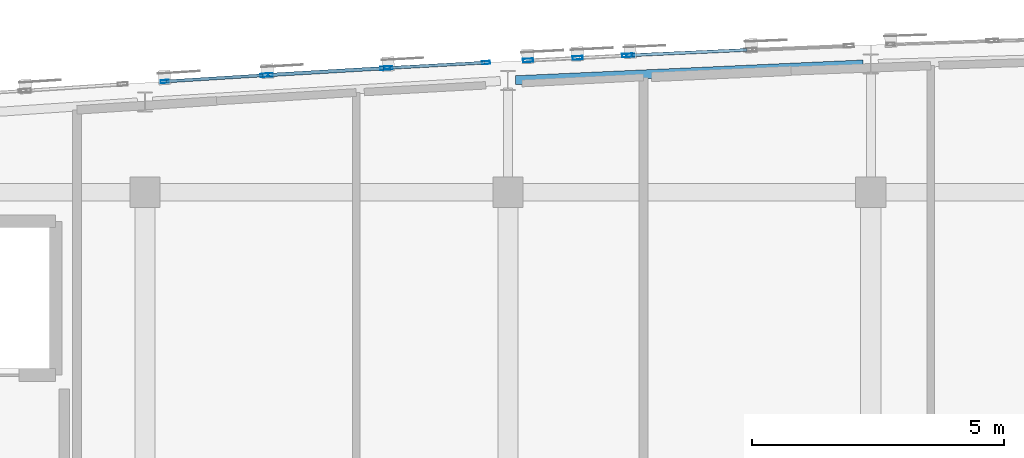
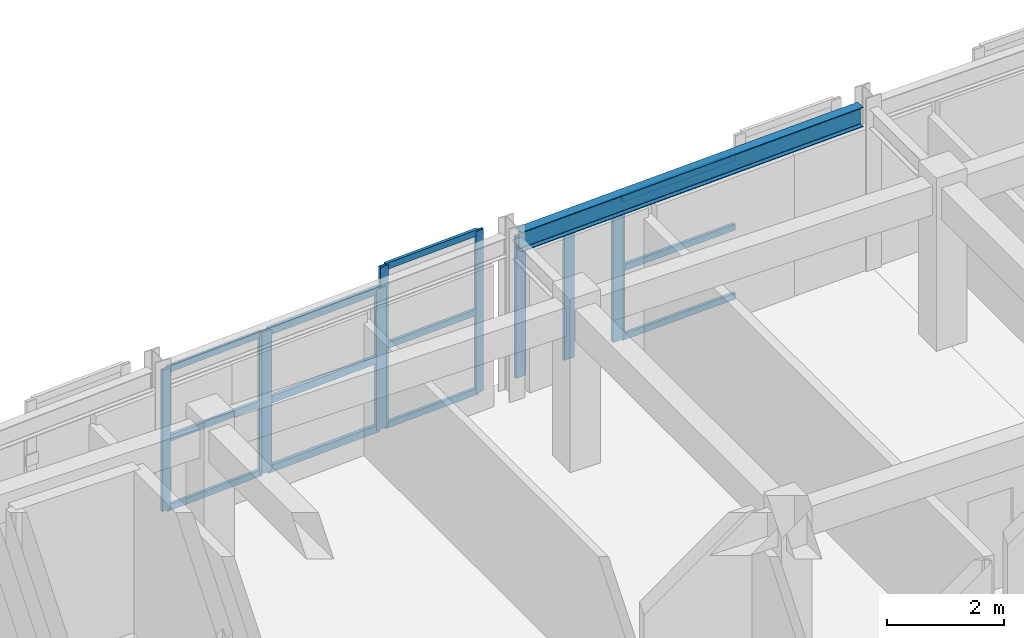
# One storey, part 13 of 51: 22 members, 1 beam, 5 elements without a shape of their own.
"""IFC4 building model written with IfcOpenShell, lengths in metres."""

from ifc_helpers import new_model, si_unit, direction, frame, origin, origin_2d, place, context, subcontext, project, spatial, hollow_rectangle, i_section, extrude, material, layer, layer_set, material_profile, profile_set, type_object, element, aggregate, save


model = new_model("IFC4")

# Units and contexts
model_context = context("Model", 3, precision=1e-05, world=origin(), true_north=direction((0.0, 1.0)))
body_context = subcontext(model_context, "Body", "Model", "MODEL_VIEW")
ifc_project = project(units=[si_unit("LENGTHUNIT", "METRE"), si_unit("AREAUNIT", "SQUARE_METRE"), si_unit("VOLUMEUNIT", "CUBIC_METRE"), si_unit("PLANEANGLEUNIT", "RADIAN"), si_unit("MASSUNIT", "GRAM", prefix="KILO")], contexts=[model_context])

# Site, building, storey
site_placement = place(None, origin())
site = spatial("IfcSite", under=ifc_project, at=site_placement, CompositionType="ELEMENT")
building_placement = place(site_placement, origin())
building = spatial("IfcBuilding", under=site, at=building_placement, Name="Carrowvane Square Congress Hotel", CompositionType="ELEMENT")
storey_placement = place(building_placement, frame((0.0, 0.0, 30.0)))
storey = spatial("IfcBuildingStorey", under=building, at=storey_placement, Name="L07", CompositionType="ELEMENT", Elevation=30.0)

# Beam
ifc_material_1 = material(Name="Steel S355", Category="steel")
ifc_material_profile_1 = material_profile(ifc_material_1, i_section(OverallWidth=0.1787109375, OverallDepth=0.409423828125, WebThickness=0.0087890625, FlangeThickness=0.014404296875, FilletRadius=0.01025390625, at=origin_2d()), Name="UKB 406x178x67")
ifc_profile_set_1 = profile_set([ifc_material_profile_1], Name="Steel S355")
beam_type = type_object("IfcBeamType", Name="BM-ST-UKB406", PredefinedType="BEAM", material=ifc_profile_set_1)
beam_placement = place(storey_placement, frame((76.5498046875, 115.62451171875, 3.1552734375), z_axis=(0.998974507316, 0.045276193882, 0.0), x_axis=(-0.045276193882, 0.998974507316, 0.0)))
element("IfcBeam", 1, at=beam_placement, inside=storey, type_object=beam_type, Name="L08 curved north spandrel", PredefinedType="BEAM", context=body_context, shape_type="SweptSolid", body=[
    extrude(i_section(OverallWidth=0.1787109375, OverallDepth=0.409423828125, WebThickness=0.0087890625, FlangeThickness=0.014404296875, FilletRadius=0.01025390625, at=origin_2d()), origin(), (0.0, 0.0, 1.0), 6.907470703125),
])

# Curtain wall, members
ifc_material_2 = material(Name="Anodised aluminium", Category="aluminium")
ifc_layer_1 = layer(ifc_material_2, 0.2099609375)
ifc_layer_set_1 = layer_set([ifc_layer_1], Name="Anodised aluminium")
curtain_wall_type_1 = type_object("IfcCurtainWallType", Name="CW-SYS-5", PredefinedType="NOTDEFINED", material=ifc_layer_set_1)
curtain_wall_1_placement = place(storey_placement, origin())
curtain_wall_1 = element("IfcCurtainWall", 2, at=curtain_wall_1_placement, inside=storey, type_object=curtain_wall_type_1, Name="L07 unitised curtain wall 420", PredefinedType="NOTDEFINED")
ifc_material_3 = material(Name="Anodised aluminium", Category="aluminium")
ifc_material_profile_2 = material_profile(ifc_material_3, hollow_rectangle(XDim=0.06005859375, YDim=0.159912109375, WallThickness=0.00390625, at=origin_2d()), Name="CW-ML 60x160x4")
ifc_profile_set_2 = profile_set([ifc_material_profile_2], Name="Anodised aluminium")
member_type_1 = type_object("IfcMemberType", Name="CW-MUL-1", PredefinedType="MULLION", material=ifc_profile_set_2)
member_1_placement = place(storey_placement, frame((69.58984375, 115.5986328125, 0.0), z_axis=(0.0, 0.0, 1.0), x_axis=(-0.062397474952, 0.998051378998, 0.0)))
member_1 = element("IfcMember", 3, at=member_1_placement, type_object=member_type_1, Name="CW-5 mullion 1", PredefinedType="MULLION", context=body_context, shape_type="SweptSolid", body=[
    extrude(hollow_rectangle(XDim=0.06005859375, YDim=0.159912109375, WallThickness=0.00390625, at=origin_2d()), origin(), (0.0, 0.0, 1.0), 2.935546875),
])
member_2_placement = place(storey_placement, frame((71.570068359375, 115.722412109375, 0.0), z_axis=(0.0, 0.0, 1.0), x_axis=(-0.062397474952, 0.998051378998, 0.0)))
member_2 = element("IfcMember", 4, at=member_2_placement, type_object=member_type_1, Name="CW-5 mullion 2", PredefinedType="MULLION", context=body_context, shape_type="SweptSolid", body=[
    extrude(hollow_rectangle(XDim=0.06005859375, YDim=0.159912109375, WallThickness=0.00390625, at=origin_2d()), origin(), (0.0, 0.0, 1.0), 2.935546875),
])

ifc_material_4 = material(Name="Anodised aluminium", Category="aluminium")
ifc_layer_2 = layer(ifc_material_4, 0.23388671875)
ifc_layer_set_2 = layer_set([ifc_layer_2], Name="Anodised aluminium")
curtain_wall_type_2 = type_object("IfcCurtainWallType", Name="CW-SYS-7", PredefinedType="NOTDEFINED", material=ifc_layer_set_2)
curtain_wall_2_placement = place(storey_placement, origin())
curtain_wall_2 = element("IfcCurtainWall", 5, at=curtain_wall_2_placement, inside=storey, type_object=curtain_wall_type_2, Name="L07 unitised curtain wall 422", PredefinedType="NOTDEFINED")
member_3_placement = place(storey_placement, frame((74.030029296875, 115.867431640625, 0.0), z_axis=(0.0, 0.0, 1.0), x_axis=(-0.054815980317, 0.998496473856, 0.0)))
member_3 = element("IfcMember", 6, at=member_3_placement, type_object=member_type_1, Name="CW-7 mullion 1", PredefinedType="MULLION", context=body_context, shape_type="SweptSolid", body=[
    extrude(hollow_rectangle(XDim=0.06005859375, YDim=0.159912109375, WallThickness=0.00390625, at=origin_2d()), origin(), (0.0, 0.0, 1.0), 3.360107421875),
])
member_4_placement = place(storey_placement, frame((75.965576171875, 115.9736328125, 0.0), z_axis=(0.0, 0.0, 1.0), x_axis=(-0.054815980317, 0.998496473856, 0.0)))
member_4 = element("IfcMember", 7, at=member_4_placement, type_object=member_type_1, Name="CW-7 mullion 2", PredefinedType="MULLION", context=body_context, shape_type="SweptSolid", body=[
    extrude(hollow_rectangle(XDim=0.06005859375, YDim=0.159912109375, WallThickness=0.00390625, at=origin_2d()), origin(), (0.0, 0.0, 1.0), 3.360107421875),
])

# Curtain wall, member
ifc_material_5 = material(Name="Anodised aluminium", Category="aluminium")
ifc_layer_3 = layer(ifc_material_5, 0.162109375)
ifc_layer_set_3 = layer_set([ifc_layer_3], Name="Anodised aluminium")
curtain_wall_type_3 = type_object("IfcCurtainWallType", Name="CW-SYS-1", PredefinedType="NOTDEFINED", material=ifc_layer_set_3)
curtain_wall_3_placement = place(storey_placement, origin())
curtain_wall_3 = element("IfcCurtainWall", 8, at=curtain_wall_3_placement, inside=storey, type_object=curtain_wall_type_3, Name="L07 unitised curtain wall 424", PredefinedType="NOTDEFINED")
member_5_placement = place(storey_placement, frame((78.830078125, 116.119873046875, 0.0), z_axis=(0.0, 0.0, 1.0), x_axis=(-0.045411059449, 0.998968385726, 0.0)))
member_5 = element("IfcMember", 9, at=member_5_placement, type_object=member_type_1, Name="CW-1 mullion 1", PredefinedType="MULLION", context=body_context, shape_type="SweptSolid", body=[
    extrude(hollow_rectangle(XDim=0.06005859375, YDim=0.159912109375, WallThickness=0.00390625, at=origin_2d()), origin(), (0.0, 0.0, 1.0), 2.935546875),
])

# Curtain wall, members
ifc_material_6 = material(Name="Anodised aluminium", Category="aluminium")
ifc_layer_4 = layer(ifc_material_6, 0.221923828125)
ifc_layer_set_4 = layer_set([ifc_layer_4], Name="Anodised aluminium")
curtain_wall_type_4 = type_object("IfcCurtainWallType", Name="CW-SYS-6", PredefinedType="NOTDEFINED", material=ifc_layer_set_4)
curtain_wall_4_placement = place(storey_placement, origin())
curtain_wall_4 = element("IfcCurtainWall", 10, at=curtain_wall_4_placement, inside=storey, type_object=curtain_wall_type_4, Name="L07 unitised curtain wall 421", PredefinedType="NOTDEFINED")
ifc_material_7 = material(Name="Anodised aluminium", Category="aluminium")
ifc_material_profile_3 = material_profile(ifc_material_7, hollow_rectangle(XDim=0.070068359375, YDim=0.199951171875, WallThickness=0.0048828125, at=origin_2d()), Name="CW-ML 70x200x5")
ifc_profile_set_3 = profile_set([ifc_material_profile_3], Name="Anodised aluminium")
member_type_2 = type_object("IfcMemberType", Name="CW-MUL-2", PredefinedType="MULLION", material=ifc_profile_set_3)
member_6_placement = place(storey_placement, frame((71.635009765625, 115.726318359375, 0.0), z_axis=(0.0, 0.0, 1.0), x_axis=(-0.058851249486, 0.998266763162, 0.0)))
member_6 = element("IfcMember", 11, at=member_6_placement, type_object=member_type_2, Name="CW-6 mullion 1", PredefinedType="MULLION", context=body_context, shape_type="SweptSolid", body=[
    extrude(hollow_rectangle(XDim=0.070068359375, YDim=0.199951171875, WallThickness=0.0048828125, at=origin_2d()), origin(), (0.0, 0.0, 1.0), 2.935546875),
])
member_7_placement = place(storey_placement, frame((73.965087890625, 115.86376953125, 0.0), z_axis=(0.0, 0.0, 1.0), x_axis=(-0.058851249486, 0.998266763162, 0.0)))
member_7 = element("IfcMember", 12, at=member_7_placement, type_object=member_type_2, Name="CW-6 mullion 2", PredefinedType="MULLION", context=body_context, shape_type="SweptSolid", body=[
    extrude(hollow_rectangle(XDim=0.070068359375, YDim=0.199951171875, WallThickness=0.0048828125, at=origin_2d()), origin(), (0.0, 0.0, 1.0), 2.935546875),
])

ifc_material_8 = material(Name="Anodised aluminium", Category="aluminium")
ifc_layer_5 = layer(ifc_material_8, 0.24609375)
ifc_layer_set_5 = layer_set([ifc_layer_5], Name="Anodised aluminium")
curtain_wall_type_5 = type_object("IfcCurtainWallType", Name="CW-SYS-8", PredefinedType="NOTDEFINED", material=ifc_layer_set_5)
curtain_wall_5_placement = place(storey_placement, origin())
curtain_wall_5 = element("IfcCurtainWall", 13, at=curtain_wall_5_placement, inside=storey, type_object=curtain_wall_type_5, Name="L07 unitised curtain wall 423", PredefinedType="NOTDEFINED")
member_8_placement = place(storey_placement, frame((76.799560546875, 116.017822265625, 0.0), z_axis=(0.0, 0.0, 1.0), x_axis=(-0.050323791596, 0.998732955299, 0.0)))
member_8 = element("IfcMember", 14, at=member_8_placement, type_object=member_type_2, Name="CW-8 mullion 1", PredefinedType="MULLION", context=body_context, shape_type="SweptSolid", body=[
    extrude(hollow_rectangle(XDim=0.070068359375, YDim=0.199951171875, WallThickness=0.0048828125, at=origin_2d()), origin(), (0.0, 0.0, 1.0), 2.935546875),
])
member_9_placement = place(storey_placement, frame((77.7822265625, 116.067138671875, 0.0), z_axis=(0.0, 0.0, 1.0), x_axis=(-0.050323791596, 0.998732955299, 0.0)))
member_9 = element("IfcMember", 15, at=member_9_placement, type_object=member_type_2, Name="CW-8 mullion 2", PredefinedType="MULLION", context=body_context, shape_type="SweptSolid", body=[
    extrude(hollow_rectangle(XDim=0.070068359375, YDim=0.199951171875, WallThickness=0.0048828125, at=origin_2d()), origin(), (0.0, 0.0, 1.0), 2.935546875),
])
member_10_placement = place(storey_placement, frame((78.764892578125, 116.11669921875, 0.0), z_axis=(0.0, 0.0, 1.0), x_axis=(-0.050323791596, 0.998732955299, 0.0)))
member_10 = element("IfcMember", 16, at=member_10_placement, type_object=member_type_2, Name="CW-8 mullion 3", PredefinedType="MULLION", context=body_context, shape_type="SweptSolid", body=[
    extrude(hollow_rectangle(XDim=0.070068359375, YDim=0.199951171875, WallThickness=0.0048828125, at=origin_2d()), origin(), (0.0, 0.0, 1.0), 2.935546875),
])
aggregate(curtain_wall_5, [member_8, member_9, member_10])

# Member
ifc_material_9 = material(Name="Anodised aluminium", Category="aluminium")
ifc_material_profile_4 = material_profile(ifc_material_9, hollow_rectangle(XDim=0.06005859375, YDim=0.1298828125, WallThickness=0.00390625, at=origin_2d()), Name="CW-TR 60x130x4")
ifc_profile_set_4 = profile_set([ifc_material_profile_4], Name="Anodised aluminium")
member_type_3 = type_object("IfcMemberType", Name="CW-TRN-1", PredefinedType="USERDEFINED", material=ifc_profile_set_4)
member_11_placement = place(storey_placement, frame((69.619873046875, 115.6005859375, 0.030029296875), z_axis=(0.998049120598, 0.062433587709, 0.0), x_axis=(-0.062433587709, 0.998049120598, 0.0)))
member_11 = element("IfcMember", 17, at=member_11_placement, type_object=member_type_3, Name="CW-5 transom 1.1", ObjectType="TRANSOM", PredefinedType="USERDEFINED", context=body_context, shape_type="SweptSolid", body=[
    extrude(hollow_rectangle(XDim=0.06005859375, YDim=0.1298828125, WallThickness=0.00390625, at=origin_2d()), origin(), (0.0, 0.0, 1.0), 1.923828125),
])

member_12_placement = place(storey_placement, frame((69.619873046875, 115.6005859375, 1.4677734375), z_axis=(0.998049120598, 0.062433587709, 0.0), x_axis=(-0.062433587709, 0.998049120598, 0.0)))
member_12 = element("IfcMember", 18, at=member_12_placement, type_object=member_type_3, Name="CW-5 transom 1.2", ObjectType="TRANSOM", PredefinedType="USERDEFINED", context=body_context, shape_type="SweptSolid", body=[
    extrude(hollow_rectangle(XDim=0.06005859375, YDim=0.1298828125, WallThickness=0.00390625, at=origin_2d()), origin(), (0.0, 0.0, 1.0), 1.923828125),
])

member_13_placement = place(storey_placement, frame((69.619873046875, 115.6005859375, 2.905517578125), z_axis=(0.998049120598, 0.062433587709, 0.0), x_axis=(-0.062433587709, 0.998049120598, 0.0)))
member_13 = element("IfcMember", 19, at=member_13_placement, type_object=member_type_3, Name="CW-5 transom 1.3", ObjectType="TRANSOM", PredefinedType="USERDEFINED", context=body_context, shape_type="SweptSolid", body=[
    extrude(hollow_rectangle(XDim=0.06005859375, YDim=0.1298828125, WallThickness=0.00390625, at=origin_2d()), origin(), (0.0, 0.0, 1.0), 1.923828125),
])

aggregate(curtain_wall_1, [member_1, member_2, member_11, member_12, member_13])

member_14_placement = place(storey_placement, frame((74.059814453125, 115.869140625, 0.030029296875), z_axis=(0.99849494655, 0.054843793758, 0.0), x_axis=(-0.054843793758, 0.99849494655, 0.0)))
member_14 = element("IfcMember", 20, at=member_14_placement, type_object=member_type_3, Name="CW-7 transom 1.1", ObjectType="TRANSOM", PredefinedType="USERDEFINED", context=body_context, shape_type="SweptSolid", body=[
    extrude(hollow_rectangle(XDim=0.06005859375, YDim=0.1298828125, WallThickness=0.00390625, at=origin_2d()), origin(), (0.0, 0.0, 1.0), 1.878662109375),
])

member_15_placement = place(storey_placement, frame((74.059814453125, 115.869140625, 1.679931640625), z_axis=(0.99849494655, 0.054843793758, 0.0), x_axis=(-0.054843793758, 0.99849494655, 0.0)))
member_15 = element("IfcMember", 21, at=member_15_placement, type_object=member_type_3, Name="CW-7 transom 1.2", ObjectType="TRANSOM", PredefinedType="USERDEFINED", context=body_context, shape_type="SweptSolid", body=[
    extrude(hollow_rectangle(XDim=0.06005859375, YDim=0.1298828125, WallThickness=0.00390625, at=origin_2d()), origin(), (0.0, 0.0, 1.0), 1.878662109375),
])

member_16_placement = place(storey_placement, frame((74.059814453125, 115.869140625, 3.330078125), z_axis=(0.99849494655, 0.054843793758, 0.0), x_axis=(-0.054843793758, 0.99849494655, 0.0)))
member_16 = element("IfcMember", 22, at=member_16_placement, type_object=member_type_3, Name="CW-7 transom 1.3", ObjectType="TRANSOM", PredefinedType="USERDEFINED", context=body_context, shape_type="SweptSolid", body=[
    extrude(hollow_rectangle(XDim=0.06005859375, YDim=0.1298828125, WallThickness=0.00390625, at=origin_2d()), origin(), (0.0, 0.0, 1.0), 1.878662109375),
])

aggregate(curtain_wall_2, [member_3, member_4, member_14, member_15, member_16])

member_17_placement = place(storey_placement, frame((78.85986328125, 116.121337890625, 0.030029296875), z_axis=(0.998971184853, 0.045349441368, 0.0), x_axis=(-0.045349441368, 0.998971184853, 0.0)))
member_17 = element("IfcMember", 23, at=member_17_placement, type_object=member_type_3, Name="CW-1 transom 1.1", ObjectType="TRANSOM", PredefinedType="USERDEFINED", context=body_context, shape_type="SweptSolid", body=[
    extrude(hollow_rectangle(XDim=0.06005859375, YDim=0.1298828125, WallThickness=0.00390625, at=origin_2d()), origin(), (0.0, 0.0, 1.0), 2.28271484375),
])

member_18_placement = place(storey_placement, frame((78.85986328125, 116.121337890625, 1.4677734375), z_axis=(0.998971184853, 0.045349441368, 0.0), x_axis=(-0.045349441368, 0.998971184853, 0.0)))
member_18 = element("IfcMember", 24, at=member_18_placement, type_object=member_type_3, Name="CW-1 transom 1.2", ObjectType="TRANSOM", PredefinedType="USERDEFINED", context=body_context, shape_type="SweptSolid", body=[
    extrude(hollow_rectangle(XDim=0.06005859375, YDim=0.1298828125, WallThickness=0.00390625, at=origin_2d()), origin(), (0.0, 0.0, 1.0), 2.28271484375),
])

member_19_placement = place(storey_placement, frame((78.85986328125, 116.121337890625, 2.905517578125), z_axis=(0.998971184853, 0.045349441368, 0.0), x_axis=(-0.045349441368, 0.998971184853, 0.0)))
member_19 = element("IfcMember", 25, at=member_19_placement, type_object=member_type_3, Name="CW-1 transom 1.3", ObjectType="TRANSOM", PredefinedType="USERDEFINED", context=body_context, shape_type="SweptSolid", body=[
    extrude(hollow_rectangle(XDim=0.06005859375, YDim=0.1298828125, WallThickness=0.00390625, at=origin_2d()), origin(), (0.0, 0.0, 1.0), 2.28271484375),
])

aggregate(curtain_wall_3, [member_5, member_17, member_18, member_19])

ifc_material_10 = material(Name="Anodised aluminium", Category="aluminium")
ifc_material_profile_5 = material_profile(ifc_material_10, hollow_rectangle(XDim=0.070068359375, YDim=0.14990234375, WallThickness=0.0048828125, at=origin_2d()), Name="CW-TR 70x150x5")
ifc_profile_set_5 = profile_set([ifc_material_profile_5], Name="Anodised aluminium")
member_type_4 = type_object("IfcMemberType", Name="CW-TRN-2", PredefinedType="USERDEFINED", material=ifc_profile_set_5)
member_20_placement = place(storey_placement, frame((71.669921875, 115.728515625, 0.034912109375), z_axis=(0.998265438007, 0.058873723175, 0.0), x_axis=(-0.058873723175, 0.998265438007, 0.0)))
member_20 = element("IfcMember", 26, at=member_20_placement, type_object=member_type_4, Name="CW-6 transom 1.1", ObjectType="TRANSOM", PredefinedType="USERDEFINED", context=body_context, shape_type="SweptSolid", body=[
    extrude(hollow_rectangle(XDim=0.070068359375, YDim=0.14990234375, WallThickness=0.0048828125, at=origin_2d()), origin(), (0.0, 0.0, 1.0), 2.26416015625),
])

member_21_placement = place(storey_placement, frame((71.669921875, 115.728515625, 1.4677734375), z_axis=(0.998265438007, 0.058873723175, 0.0), x_axis=(-0.058873723175, 0.998265438007, 0.0)))
member_21 = element("IfcMember", 27, at=member_21_placement, type_object=member_type_4, Name="CW-6 transom 1.2", ObjectType="TRANSOM", PredefinedType="USERDEFINED", context=body_context, shape_type="SweptSolid", body=[
    extrude(hollow_rectangle(XDim=0.070068359375, YDim=0.14990234375, WallThickness=0.0048828125, at=origin_2d()), origin(), (0.0, 0.0, 1.0), 2.26416015625),
])

member_22_placement = place(storey_placement, frame((71.669921875, 115.728515625, 2.900634765625), z_axis=(0.998265438007, 0.058873723175, 0.0), x_axis=(-0.058873723175, 0.998265438007, 0.0)))
member_22 = element("IfcMember", 28, at=member_22_placement, type_object=member_type_4, Name="CW-6 transom 1.3", ObjectType="TRANSOM", PredefinedType="USERDEFINED", context=body_context, shape_type="SweptSolid", body=[
    extrude(hollow_rectangle(XDim=0.070068359375, YDim=0.14990234375, WallThickness=0.0048828125, at=origin_2d()), origin(), (0.0, 0.0, 1.0), 2.26416015625),
])

aggregate(curtain_wall_4, [member_6, member_7, member_20, member_21, member_22])

save(model, "model.ifc")
